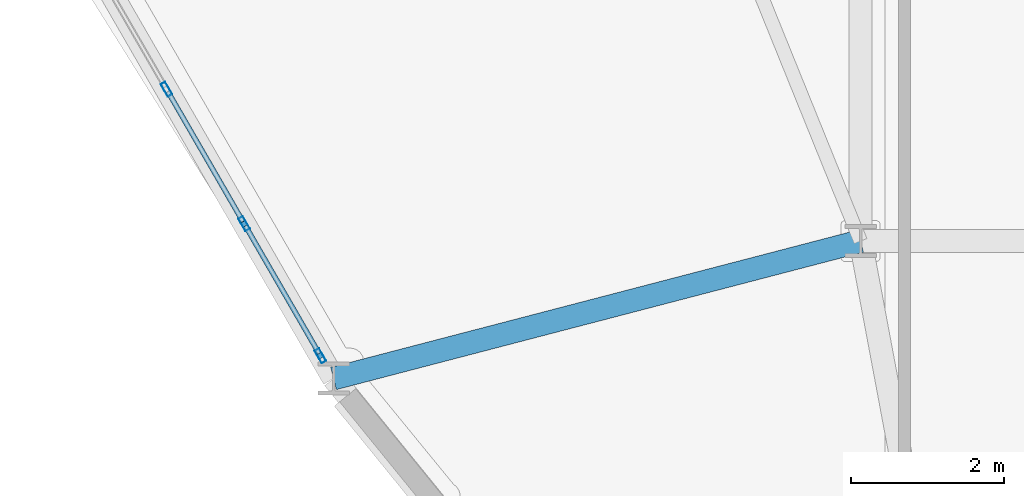
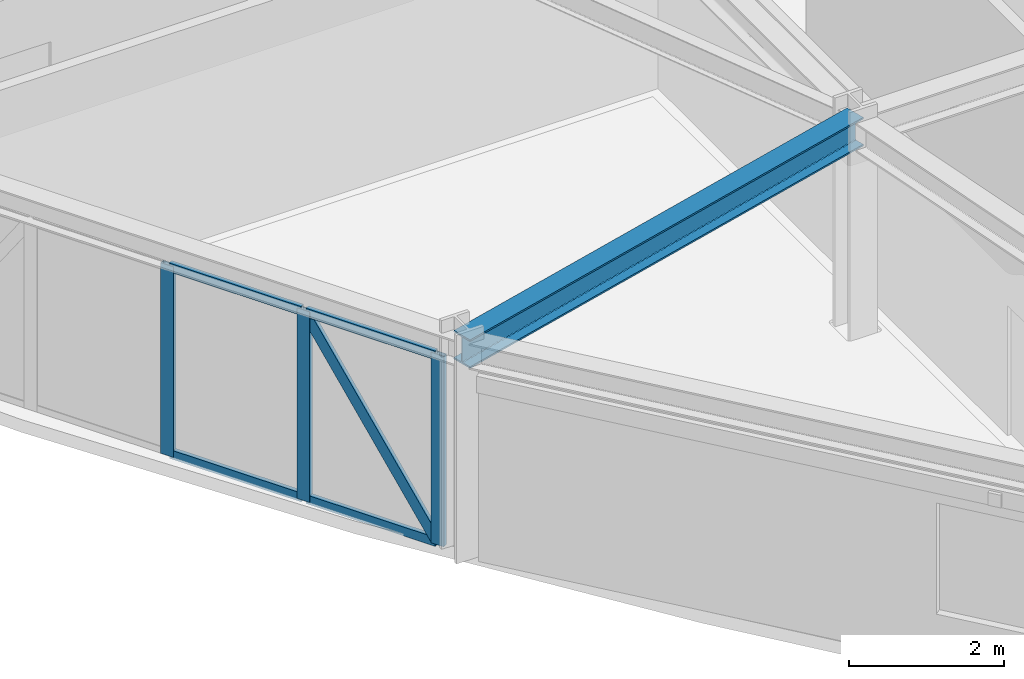
# One storey, part 2 of 15: 8 members, 1 beam, 1 element without a shape of its own.
"""IFC4 building model written with IfcOpenShell, lengths in metres."""

from ifc_helpers import new_model, si_unit, derived_unit, direction, frame, origin, origin_2d, place, context, subcontext, project, spatial, hollow_rectangle, i_section, extrude, source, transform, mapped, material, layer, layer_set, material_profile, profile_set, type_object, element, aggregate, save


model = new_model("IFC4")

# Units and contexts
model_context = context("Model", 3, precision=1e-05, world=origin(), true_north=direction((0.0, 1.0)))
body_context = subcontext(model_context, "Body", "Model", "MODEL_VIEW")
ifc_project = project(units=[si_unit("LENGTHUNIT", "METRE"), si_unit("AREAUNIT", "SQUARE_METRE"), si_unit("VOLUMEUNIT", "CUBIC_METRE"), si_unit("PLANEANGLEUNIT", "RADIAN"), si_unit("MASSUNIT", "GRAM", prefix="KILO"), derived_unit("THERMALTRANSMITTANCEUNIT", [(si_unit("POWERUNIT", "WATT"), 1), (si_unit("LENGTHUNIT", "METRE"), -2), (si_unit("THERMODYNAMICTEMPERATUREUNIT", "KELVIN"), -1)])], contexts=[model_context])

# Site, building, storey
site_placement = place(None, origin())
site = spatial("IfcSite", under=ifc_project, at=site_placement, CompositionType="ELEMENT")
building_placement = place(site_placement, origin())
building = spatial("IfcBuilding", under=site, at=building_placement, Name="Korsvarv Bourse and Concert Hall", CompositionType="ELEMENT")
storey_placement = place(building_placement, frame((0.0, 0.0, 161.39990234375)))
storey = spatial("IfcBuildingStorey", under=building, at=storey_placement, Name="L41", CompositionType="ELEMENT", Elevation=161.39990234375)

# Beam
ifc_material_1 = material(Name="Steel S355", Category="steel")
ifc_material_profile_1 = material_profile(ifc_material_1, i_section(OverallWidth=0.300048828125, OverallDepth=0.449951171875, WebThickness=0.013916015625, FlangeThickness=0.02587890625, FilletRadius=0.02099609375, at=origin_2d()), Name="HEB 450")
ifc_profile_set_1 = profile_set([ifc_material_profile_1], Name="Steel S355")
beam_type = type_object("IfcBeamType", Name="BM-HEB450", PredefinedType="SPANDREL", material=ifc_profile_set_1)
shared_shape_1 = source(origin(), body_context, "Body", "SweptSolid", [
    extrude(i_section(OverallWidth=0.300048828125, OverallDepth=0.449951171875, WebThickness=0.013916015625, FlangeThickness=0.02587890625, FilletRadius=0.02099609375, at=origin_2d()), origin(), (0.0, 0.0, 1.0), 7.125732421875),
])
beam_placement = place(storey_placement, frame((20.704833984375, 22.202392578125, 3.175048828125), z_axis=(0.967656919283, 0.252269868522, 0.0), x_axis=(-0.252269868522, 0.967656919283, 0.0)))
element("IfcBeam", 1, at=beam_placement, inside=storey, type_object=beam_type, Name="L41 beam B-08", PredefinedType="SPANDREL", context=body_context, shape_type="MappedRepresentation", body=[
    mapped(shared_shape_1, transform((0.0, 0.0, 0.0), scale=1.0)),
])

# Curtain wall, members
ifc_material_2 = material(Name="Anodised aluminium and triple low-E glazing", Category="glass")
ifc_layer = layer(ifc_material_2, 0.2099609375)
ifc_layer_set = layer_set([ifc_layer], Name="Anodised aluminium and triple low-E glazing")
curtain_wall_type = type_object("IfcCurtainWallType", Name="CW-SYS-2", PredefinedType="NOTDEFINED", material=ifc_layer_set)
curtain_wall_placement = place(storey_placement, origin())
curtain_wall = element("IfcCurtainWall", 2, at=curtain_wall_placement, inside=storey, type_object=curtain_wall_type, Name="L41 CW2 curtain wall CW-L41-F07", PredefinedType="NOTDEFINED")
ifc_material_3 = material(Name="Extruded aluminium EN AW-6063 T66", Category="aluminium")
ifc_material_profile_2 = material_profile(ifc_material_3, hollow_rectangle(XDim=0.070068359375, YDim=0.18994140625, WallThickness=0.0048828125, at=origin_2d()), Name="ALU-M 70x190")
ifc_profile_set_2 = profile_set([ifc_material_profile_2], Name="Extruded aluminium EN AW-6063 T66")
member_type_1 = type_object("IfcMemberType", Name="CWM-190", PredefinedType="MULLION", material=ifc_profile_set_2)
shared_shape_2 = source(origin(), body_context, "Body", "SweptSolid", [
    extrude(hollow_rectangle(XDim=0.070068359375, YDim=0.18994140625, WallThickness=0.0048828125, at=origin_2d()), origin(), (0.0, 0.0, 1.0), 3.0),
])
member_1_placement = place(storey_placement, frame((18.51953125, 25.9873046875, 0.0), z_axis=(0.0, 0.0, 1.0), x_axis=(0.86602405061, 0.500002343759, 0.0)))
member_1 = element("IfcMember", 3, at=member_1_placement, type_object=member_type_1, Name="CW2 mullion 5", PredefinedType="MULLION", context=body_context, shape_type="MappedRepresentation", body=[
    mapped(shared_shape_2, transform((0.0, 0.0, 0.0), scale=1.0)),
])
member_2_placement = place(storey_placement, frame((19.534912109375, 24.228515625, 0.0), z_axis=(0.0, 0.0, 1.0), x_axis=(0.86602405061, 0.500002343759, 0.0)))
member_2 = element("IfcMember", 4, at=member_2_placement, type_object=member_type_1, Name="CW2 mullion 6", PredefinedType="MULLION", context=body_context, shape_type="MappedRepresentation", body=[
    mapped(shared_shape_2, transform((0.0, 0.0, 0.0), scale=1.0)),
])
member_3_placement = place(storey_placement, frame((20.532958984375, 22.5, 0.0), z_axis=(0.0, 0.0, 1.0), x_axis=(0.86602405061, 0.500002343759, 0.0)))
member_3 = element("IfcMember", 5, at=member_3_placement, type_object=member_type_1, Name="CW2 mullion 7", PredefinedType="MULLION", context=body_context, shape_type="MappedRepresentation", body=[
    mapped(shared_shape_2, transform((0.0, 0.0, 0.0), scale=1.0)),
])
ifc_material_profile_3 = material_profile(ifc_material_3, hollow_rectangle(XDim=0.06494140625, YDim=0.139892578125, WallThickness=0.00390625, at=origin_2d()), Name="ALU-T 65x140")
ifc_profile_set_3 = profile_set([ifc_material_profile_3], Name="Extruded aluminium EN AW-6063 T66")
member_type_2 = type_object("IfcMemberType", Name="CWT-140", PredefinedType="USERDEFINED", material=ifc_profile_set_3)
shared_shape_3 = source(origin(), body_context, "Body", "SweptSolid", [
    extrude(hollow_rectangle(XDim=0.06494140625, YDim=0.139892578125, WallThickness=0.00390625, at=origin_2d()), origin(), (0.0, 0.0, 1.0), 1.92578125),
])
member_4_placement = place(storey_placement, frame((19.552490234375, 24.1982421875, 0.03271484375), z_axis=(0.50001143954, -0.866018799062, 0.0), x_axis=(0.866018799062, 0.50001143954, 0.0)))
member_4 = element("IfcMember", 6, at=member_4_placement, type_object=member_type_2, Name="CW2 transom 6.1", ObjectType="TRANSOM", PredefinedType="USERDEFINED", context=body_context, shape_type="MappedRepresentation", body=[
    mapped(shared_shape_3, transform((0.0, 0.0, 0.0), scale=1.0)),
])
member_5_placement = place(storey_placement, frame((19.552490234375, 24.1982421875, 2.967529296875), z_axis=(0.50001143954, -0.866018799062, 0.0), x_axis=(0.866018799062, 0.50001143954, 0.0)))
member_5 = element("IfcMember", 7, at=member_5_placement, type_object=member_type_2, Name="CW2 transom 6.2", ObjectType="TRANSOM", PredefinedType="USERDEFINED", context=body_context, shape_type="MappedRepresentation", body=[
    mapped(shared_shape_3, transform((0.0, 0.0, 0.0), scale=1.0)),
])
shared_shape_4 = source(origin(), body_context, "Body", "SweptSolid", [
    extrude(hollow_rectangle(XDim=0.06494140625, YDim=0.139892578125, WallThickness=0.00390625, at=origin_2d()), origin(), (0.0, 0.0, 1.0), 1.9609375),
])
member_6_placement = place(storey_placement, frame((18.537109375, 25.95703125, 0.03271484375), z_axis=(0.499902088912, -0.866081925398, 0.0), x_axis=(0.866081925398, 0.499902088912, 0.0)))
member_6 = element("IfcMember", 8, at=member_6_placement, type_object=member_type_2, Name="CW2 transom 5.1", ObjectType="TRANSOM", PredefinedType="USERDEFINED", context=body_context, shape_type="MappedRepresentation", body=[
    mapped(shared_shape_4, transform((0.0, 0.0, 0.0), scale=1.0)),
])
member_7_placement = place(storey_placement, frame((18.537109375, 25.95703125, 2.967529296875), z_axis=(0.499902088912, -0.866081925398, 0.0), x_axis=(0.866081925398, 0.499902088912, 0.0)))
member_7 = element("IfcMember", 9, at=member_7_placement, type_object=member_type_2, Name="CW2 transom 5.2", ObjectType="TRANSOM", PredefinedType="USERDEFINED", context=body_context, shape_type="MappedRepresentation", body=[
    mapped(shared_shape_4, transform((0.0, 0.0, 0.0), scale=1.0)),
])
ifc_material_profile_4 = material_profile(ifc_material_3, hollow_rectangle(XDim=0.06494140625, YDim=0.1650390625, WallThickness=0.0048828125, at=origin_2d()), Name="ALU-M 65x165")
ifc_profile_set_4 = profile_set([ifc_material_profile_4], Name="Extruded aluminium EN AW-6063 T66")
member_type_3 = type_object("IfcMemberType", Name="CWM-165", PredefinedType="MULLION", material=ifc_profile_set_4)
shared_shape_5 = source(origin(), body_context, "Body", "SweptSolid", [
    extrude(hollow_rectangle(XDim=0.06494140625, YDim=0.1650390625, WallThickness=0.0048828125, at=origin_2d()), origin(), (0.0, 0.0, 1.0), 3.4560546875),
])
member_8_placement = place(storey_placement, frame((20.515380859375, 22.530517578125, 0.065185546875), z_axis=(-0.278606032713, 0.482545083535, 0.830378781577), x_axis=(-0.866018799062, -0.50001143954, 0.0)))
member_8 = element("IfcMember", 10, at=member_8_placement, type_object=member_type_3, Name="CW2 diagonal mullion 6", PredefinedType="MULLION", context=body_context, shape_type="MappedRepresentation", body=[
    mapped(shared_shape_5, transform((0.0, 0.0, 0.0), scale=1.0)),
])
aggregate(curtain_wall, [member_1, member_2, member_3, member_6, member_7, member_4, member_5, member_8])

save(model, "model.ifc")
